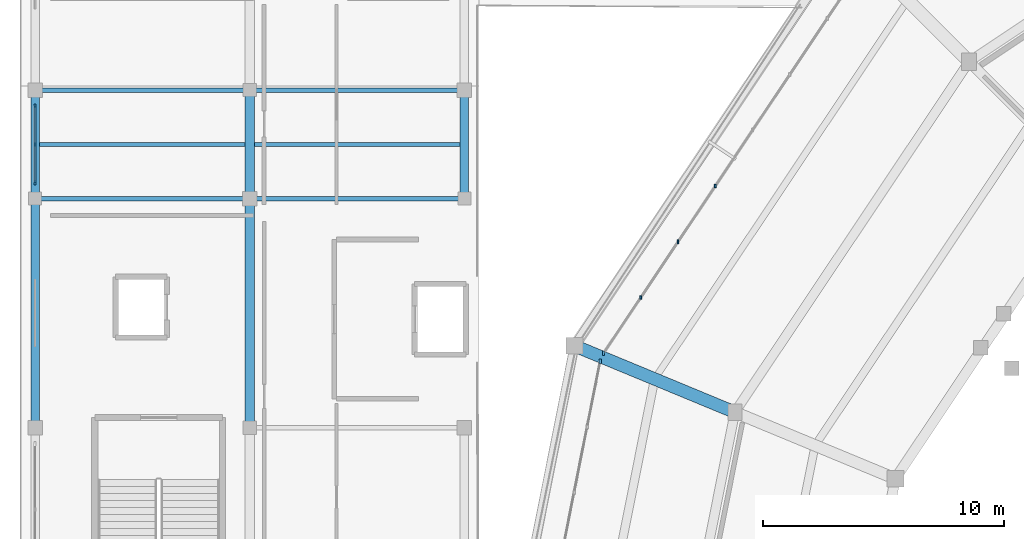
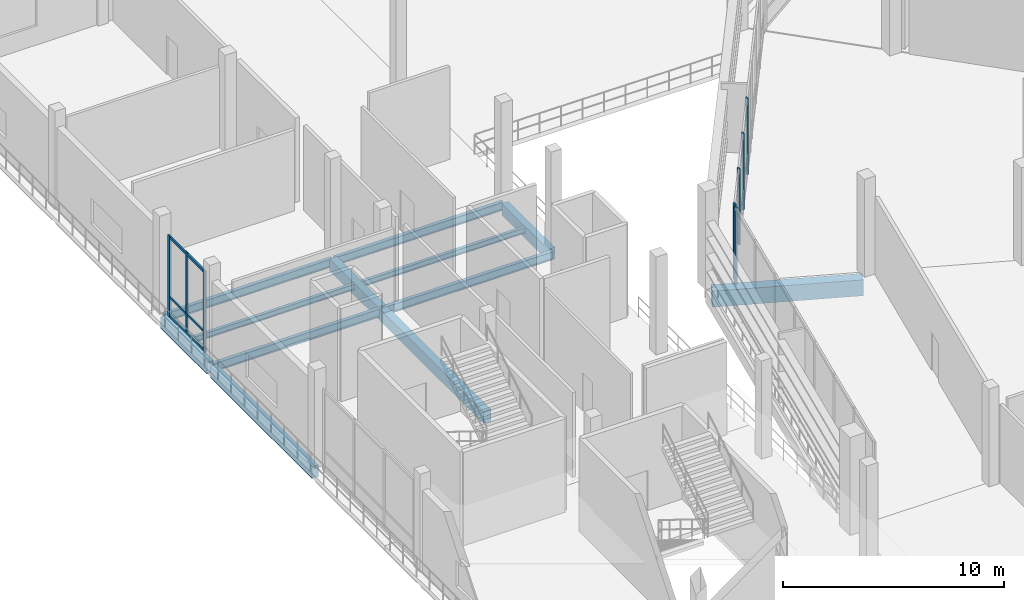
# One storey, part 28 of 111: 12 beams, 11 members, 3 elements without a shape of their own.
"""IFC4 building model written with IfcOpenShell, lengths in metres."""

from ifc_helpers import new_model, si_unit, direction, frame, origin, origin_2d, place, context, subcontext, project, spatial, rectangle, i_section, extrude, material, material_profile, profile_set, type_object, element, aggregate, save


model = new_model("IFC4")

# Units and contexts
model_context = context("Model", 3, precision=1e-05, world=origin(), true_north=direction((0.0, 1.0)))
body_context = subcontext(model_context, "Body", "Model", "MODEL_VIEW")
ifc_project = project(units=[si_unit("LENGTHUNIT", "METRE"), si_unit("AREAUNIT", "SQUARE_METRE"), si_unit("VOLUMEUNIT", "CUBIC_METRE"), si_unit("PLANEANGLEUNIT", "RADIAN"), si_unit("MASSUNIT", "GRAM", prefix="KILO")], contexts=[model_context])

# Site, building, storey
site_placement = place(None, origin())
site = spatial("IfcSite", under=ifc_project, at=site_placement, CompositionType="ELEMENT")
building_placement = place(site_placement, origin())
building = spatial("IfcBuilding", under=site, at=building_placement, Name="Candeia Ridge Stadium", CompositionType="ELEMENT")
storey_placement = place(building_placement, frame((0.0, 0.0, 16.199951171875)))
storey = spatial("IfcBuildingStorey", under=building, at=storey_placement, Name="L03", CompositionType="ELEMENT", Elevation=16.199951171875)

# Curtain wall, member
ifc_material_1 = material(Name="Aluminium Anodized Warm Bronze", Category="aluminium")
curtain_wall_type_1 = type_object("IfcCurtainWallType", Name="Concourse Recessed Unitised Curtain Wall", PredefinedType="NOTDEFINED", material=ifc_material_1)
curtain_wall_1_placement = place(storey_placement, origin())
curtain_wall_1 = element("IfcCurtainWall", 1, at=curtain_wall_1_placement, inside=storey, type_object=curtain_wall_type_1, Name="Unitised curtain wall CW-BWL-L03-09", PredefinedType="NOTDEFINED")
ifc_material_profile_1 = material_profile(ifc_material_1, rectangle(XDim=0.090087890625, YDim=0.179931640625, at=origin_2d()), Name="CWM-90x180", Category="aluminium")
ifc_profile_set_1 = profile_set([ifc_material_profile_1], Name="Aluminium Anodized Warm Bronze")
member_type_1 = type_object("IfcMemberType", Name="Curtain Wall Primary Mullion 90x180", PredefinedType="MULLION", material=ifc_profile_set_1)
member_1_placement = place(storey_placement, frame((24.1669921875, 114.590087890625, 0.0), z_axis=(0.0, 0.0, 1.0), x_axis=(1.0, 0.0, 0.0)))
member_1 = element("IfcMember", 2, at=member_1_placement, type_object=member_type_1, Name="Curtain wall mullion CW-BWL-L03-09-M7", PredefinedType="MULLION", context=body_context, shape_type="SweptSolid", body=[
    extrude(rectangle(XDim=0.090087890625, YDim=0.179931640625, at=origin_2d()), origin(), (0.0, 0.0, 1.0), 4.205078125),
])

curtain_wall_2_placement = place(storey_placement, origin())
curtain_wall_2 = element("IfcCurtainWall", 3, at=curtain_wall_2_placement, inside=storey, type_object=curtain_wall_type_1, Name="Unitised curtain wall CW-BWL-L03-10", PredefinedType="NOTDEFINED")
member_2_placement = place(storey_placement, frame((24.03173828125, 114.263916015625, 0.0), z_axis=(0.0, 0.0, 1.0), x_axis=(1.0, 0.0, 0.0)))
member_2 = element("IfcMember", 4, at=member_2_placement, type_object=member_type_1, Name="Curtain wall mullion CW-BWL-L03-10-M0", PredefinedType="MULLION", context=body_context, shape_type="SweptSolid", body=[
    extrude(rectangle(XDim=0.090087890625, YDim=0.179931640625, at=origin_2d()), origin(), (0.0, 0.0, 1.0), 4.2451171875),
])
aggregate(curtain_wall_2, [member_2])

# Curtain wall, members
curtain_wall_type_2 = type_object("IfcCurtainWallType", Name="West Pavilion Hospitality Curtain Wall", PredefinedType="NOTDEFINED", material=ifc_material_1)
curtain_wall_3_placement = place(storey_placement, origin())
curtain_wall_3 = element("IfcCurtainWall", 5, at=curtain_wall_3_placement, inside=storey, type_object=curtain_wall_type_2, Name="Unitised curtain wall CW-WNG-L03-092", PredefinedType="NOTDEFINED")
member_3_placement = place(storey_placement, frame((0.60009765625, 121.659912109375, 0.0), z_axis=(0.0, 0.0, 1.0), x_axis=(1.0, 0.0, 0.0)))
member_3 = element("IfcMember", 6, at=member_3_placement, type_object=member_type_1, Name="Curtain wall mullion CW-WNG-L03-092-M0", PredefinedType="MULLION", context=body_context, shape_type="SweptSolid", body=[
    extrude(rectangle(XDim=0.090087890625, YDim=0.179931640625, at=origin_2d()), origin(), (0.0, 0.0, 1.0), 4.47509765625),
])
member_4_placement = place(storey_placement, frame((0.60009765625, 124.840087890625, 0.0), z_axis=(0.0, 0.0, 1.0), x_axis=(1.0, 0.0, 0.0)))
member_4 = element("IfcMember", 7, at=member_4_placement, type_object=member_type_1, Name="Curtain wall mullion CW-WNG-L03-092-M2", PredefinedType="MULLION", context=body_context, shape_type="SweptSolid", body=[
    extrude(rectangle(XDim=0.090087890625, YDim=0.179931640625, at=origin_2d()), origin(), (0.0, 0.0, 1.0), 4.47509765625),
])

# Member
ifc_material_profile_2 = material_profile(ifc_material_1, rectangle(XDim=0.074951171875, YDim=0.14990234375, at=origin_2d()), Name="CWM-75x150", Category="aluminium")
ifc_profile_set_2 = profile_set([ifc_material_profile_2], Name="Aluminium Anodized Warm Bronze")
member_type_2 = type_object("IfcMemberType", Name="Curtain Wall Secondary Mullion 75x150", PredefinedType="MULLION", material=ifc_profile_set_2)
member_5_placement = place(storey_placement, frame((28.80078125, 121.52490234375, 0.0), z_axis=(0.0, 0.0, 1.0), x_axis=(1.0, 0.0, 0.0)))
member_5 = element("IfcMember", 8, at=member_5_placement, type_object=member_type_2, Name="Curtain wall mullion CW-BWL-L03-09-M4", PredefinedType="MULLION", context=body_context, shape_type="SweptSolid", body=[
    extrude(rectangle(XDim=0.074951171875, YDim=0.14990234375, at=origin_2d()), origin(), (0.0, 0.0, 1.0), 4.205078125),
])

member_6_placement = place(storey_placement, frame((27.256103515625, 119.21337890625, 0.0), z_axis=(0.0, 0.0, 1.0), x_axis=(1.0, 0.0, 0.0)))
member_6 = element("IfcMember", 9, at=member_6_placement, type_object=member_type_2, Name="Curtain wall mullion CW-BWL-L03-09-M5", PredefinedType="MULLION", context=body_context, shape_type="SweptSolid", body=[
    extrude(rectangle(XDim=0.074951171875, YDim=0.14990234375, at=origin_2d()), origin(), (0.0, 0.0, 1.0), 4.205078125),
])

member_7_placement = place(storey_placement, frame((25.71142578125, 116.901611328125, 0.0), z_axis=(0.0, 0.0, 1.0), x_axis=(1.0, 0.0, 0.0)))
member_7 = element("IfcMember", 10, at=member_7_placement, type_object=member_type_2, Name="Curtain wall mullion CW-BWL-L03-09-M6", PredefinedType="MULLION", context=body_context, shape_type="SweptSolid", body=[
    extrude(rectangle(XDim=0.074951171875, YDim=0.14990234375, at=origin_2d()), origin(), (0.0, 0.0, 1.0), 4.205078125),
])

aggregate(curtain_wall_1, [member_5, member_6, member_7, member_1])

member_8_placement = place(storey_placement, frame((0.60009765625, 123.25, 0.0), z_axis=(0.0, 0.0, 1.0), x_axis=(1.0, 0.0, 0.0)))
member_8 = element("IfcMember", 11, at=member_8_placement, type_object=member_type_2, Name="Curtain wall mullion CW-WNG-L03-092-M1", PredefinedType="MULLION", context=body_context, shape_type="SweptSolid", body=[
    extrude(rectangle(XDim=0.074951171875, YDim=0.14990234375, at=origin_2d()), origin(), (0.0, 0.0, 1.0), 4.47509765625),
])

ifc_material_profile_3 = material_profile(ifc_material_1, rectangle(XDim=0.074951171875, YDim=0.110107421875, at=origin_2d()), Name="CWT-75x110", Category="aluminium")
ifc_profile_set_3 = profile_set([ifc_material_profile_3], Name="Aluminium Anodized Warm Bronze")
member_type_3 = type_object("IfcMemberType", Name="Curtain Wall Secondary Transom 75x110", PredefinedType="USERDEFINED", material=ifc_profile_set_3)
member_9_placement = place(storey_placement, frame((0.60009765625, 121.659912109375, 1.10009765625), z_axis=(0.0, 1.0, 0.0), x_axis=(-1.0, 0.0, 0.0)))
member_9 = element("IfcMember", 12, at=member_9_placement, type_object=member_type_3, Name="Curtain wall transom CW-WNG-L03-092-T1", ObjectType="TRANSOM", PredefinedType="USERDEFINED", context=body_context, shape_type="SweptSolid", body=[
    extrude(rectangle(XDim=0.074951171875, YDim=0.110107421875, at=origin_2d()), origin(), (0.0, 0.0, 1.0), 3.18017578125),
])

ifc_material_profile_4 = material_profile(ifc_material_1, rectangle(XDim=0.090087890625, YDim=0.139892578125, at=origin_2d()), Name="CWT-90x140", Category="aluminium")
ifc_profile_set_4 = profile_set([ifc_material_profile_4], Name="Aluminium Anodized Warm Bronze")
member_type_4 = type_object("IfcMemberType", Name="Curtain Wall Transom 90x140", PredefinedType="USERDEFINED", material=ifc_profile_set_4)
member_10_placement = place(storey_placement, frame((0.60009765625, 121.659912109375, 0.070068359375), z_axis=(0.0, 1.0, 0.0), x_axis=(-1.0, 0.0, 0.0)))
member_10 = element("IfcMember", 13, at=member_10_placement, type_object=member_type_4, Name="Curtain wall transom CW-WNG-L03-092-T0", ObjectType="TRANSOM", PredefinedType="USERDEFINED", context=body_context, shape_type="SweptSolid", body=[
    extrude(rectangle(XDim=0.090087890625, YDim=0.139892578125, at=origin_2d()), origin(), (0.0, 0.0, 1.0), 3.18017578125),
])

member_11_placement = place(storey_placement, frame((0.60009765625, 121.659912109375, 4.405029296875), z_axis=(0.0, 1.0, 0.0), x_axis=(-1.0, 0.0, 0.0)))
member_11 = element("IfcMember", 14, at=member_11_placement, type_object=member_type_4, Name="Curtain wall transom CW-WNG-L03-092-T2", ObjectType="TRANSOM", PredefinedType="USERDEFINED", context=body_context, shape_type="SweptSolid", body=[
    extrude(rectangle(XDim=0.090087890625, YDim=0.139892578125, at=origin_2d()), origin(), (0.0, 0.0, 1.0), 3.18017578125),
])

aggregate(curtain_wall_3, [member_3, member_8, member_4, member_10, member_9, member_11])

# Beams
ifc_material_2 = material(Name="Concrete C45/55", Category="concrete")
ifc_material_profile_5 = material_profile(ifc_material_2, rectangle(XDim=0.52001953125, YDim=0.8798828125, at=origin_2d()), Name="RC520x880", Category="concrete")
ifc_profile_set_5 = profile_set([ifc_material_profile_5], Name="Concrete C45/55")
beam_type_1 = type_object("IfcBeamType", Name="Frame Girder RC520x880", PredefinedType="BEAM", material=ifc_profile_set_5)
beam_1_placement = place(storey_placement, frame((29.46240234375, 112.20556640625, -0.68994140625), z_axis=(-0.923880161031, 0.382681914982, 0.0), x_axis=(-0.382681914982, -0.923880161031, 0.0)))
element("IfcBeam", 15, at=beam_1_placement, inside=storey, type_object=beam_type_1, Name="Bowl radial girder BM-L03-0502", PredefinedType="BEAM", context=body_context, shape_type="SweptSolid", body=[
    extrude(rectangle(XDim=0.52001953125, YDim=0.8798828125, at=origin_2d()), origin(), (0.0, 0.0, 1.0), 6.8798828125),
])
ifc_material_3 = material(Name="Steel ASTM A572 Grade 50", Category="steel")
ifc_material_profile_6 = material_profile(ifc_material_3, i_section(OverallWidth=0.1669921875, OverallDepth=0.31689453125, WebThickness=0.007568359375, FlangeThickness=0.01318359375, FilletRadius=0.011962890625, at=origin_2d()), Name="W310x52", Category="steel")
ifc_profile_set_6 = profile_set([ifc_material_profile_6], Name="Steel ASTM A572 Grade 50")
beam_type_2 = type_object("IfcBeamType", Name="Pavilion Secondary Joist W310x52", PredefinedType="JOIST", material=ifc_profile_set_6)
for number, where, z_axis, x_axis, name in (
    (16, (0.7744140625, 123.25, -0.408447265625), (1.0, 0.0, 0.0), (0.0, 1.0, 0.0), "Wing secondary joist BM-L03-1243"),
    (17, (9.699462890625, 123.25, -0.408447265625), (1.0, 0.0, 0.0), (0.0, 1.0, 0.0), "Wing secondary joist BM-L03-1267"),
):
    element("IfcBeam", number, at=place(storey_placement, frame(where, z_axis=z_axis, x_axis=x_axis)), inside=storey, type_object=beam_type_2, Name=name, PredefinedType="JOIST", context=body_context, shape_type="SweptSolid", body=[
        extrude(i_section(OverallWidth=0.1669921875, OverallDepth=0.31689453125, WebThickness=0.007568359375, FlangeThickness=0.01318359375, FilletRadius=0.011962890625, at=origin_2d()), origin(), (0.0, 0.0, 1.0), 8.526123046875),
    ])
ifc_material_profile_7 = material_profile(ifc_material_3, i_section(OverallWidth=0.18994140625, OverallDepth=0.45703125, WebThickness=0.009033203125, FlangeThickness=0.014404296875, FilletRadius=0.012939453125, at=origin_2d()), Name="W460x74", Category="steel")
ifc_profile_set_7 = profile_set([ifc_material_profile_7], Name="Steel ASTM A572 Grade 50")
beam_type_3 = type_object("IfcBeamType", Name="Pavilion Steel Girder W460x74", PredefinedType="BEAM", material=ifc_profile_set_7)
for number, where, z_axis, x_axis, name in (
    (18, (0.64990234375, 121.0, -0.478515625), (1.0, 0.0, 0.0), (0.0, 1.0, 0.0), "Structural girder BM-L03-1242"),
    (19, (0.64990234375, 125.5, -0.478515625), (1.0, 0.0, 0.0), (0.0, 1.0, 0.0), "Structural girder BM-L03-1244"),
    (20, (9.550048828125, 121.0, -0.478515625), (1.0, 0.0, 0.0), (0.0, 1.0, 0.0), "Structural girder BM-L03-1266"),
    (21, (9.550048828125, 125.5, -0.478515625), (1.0, 0.0, 0.0), (0.0, 1.0, 0.0), "Structural girder BM-L03-1268"),
):
    element("IfcBeam", number, at=place(storey_placement, frame(where, z_axis=z_axis, x_axis=x_axis)), inside=storey, type_object=beam_type_3, Name=name, PredefinedType="BEAM", context=body_context, shape_type="SweptSolid", body=[
        extrude(i_section(OverallWidth=0.18994140625, OverallDepth=0.45703125, WebThickness=0.009033203125, FlangeThickness=0.014404296875, FilletRadius=0.012939453125, at=origin_2d()), origin(), (0.0, 0.0, 1.0), 8.800048828125),
    ])
ifc_material_4 = material(Name="Concrete C40/50", Category="concrete")
ifc_material_profile_8 = material_profile(ifc_material_4, rectangle(XDim=0.35009765625, YDim=0.64990234375, at=origin_2d()), Name="RC350x650", Category="concrete")
ifc_profile_set_8 = profile_set([ifc_material_profile_8], Name="Concrete C40/50")
beam_type_4 = type_object("IfcBeamType", Name="Spandrel Beam RC350x650", PredefinedType="SPANDREL", material=ifc_profile_set_8)
beam_2_placement = place(storey_placement, frame((0.60009765625, 111.659912109375, -0.574951171875), z_axis=(0.0, 1.0, 0.0), x_axis=(-1.0, 0.0, 0.0)))
element("IfcBeam", 22, at=beam_2_placement, inside=storey, type_object=beam_type_4, Name="Structural girder BM-L03-1203", PredefinedType="SPANDREL", context=body_context, shape_type="SweptSolid", body=[
    extrude(rectangle(XDim=0.35009765625, YDim=0.64990234375, at=origin_2d()), origin(), (0.0, 0.0, 1.0), 9.18017578125),
])
for number, where, z_axis, x_axis, name in (
    (23, (0.60009765625, 121.159912109375, -0.574951171875), (0.0, 1.0, 0.0), (-1.0, 0.0, 0.0), "Structural girder BM-L03-1204"),
    (24, (18.39990234375, 121.159912109375, -0.574951171875), (0.0, 1.0, 0.0), (-1.0, 0.0, 0.0), "Structural girder BM-L03-1228"),
):
    element("IfcBeam", number, at=place(storey_placement, frame(where, z_axis=z_axis, x_axis=x_axis)), inside=storey, type_object=beam_type_4, Name=name, PredefinedType="SPANDREL", context=body_context, shape_type="SweptSolid", body=[
        extrude(rectangle(XDim=0.35009765625, YDim=0.64990234375, at=origin_2d()), origin(), (0.0, 0.0, 1.0), 4.18017578125),
    ])
ifc_material_profile_9 = material_profile(ifc_material_4, rectangle(XDim=0.39990234375, YDim=0.64990234375, at=origin_2d()), Name="RC400x650", Category="concrete")
ifc_profile_set_9 = profile_set([ifc_material_profile_9], Name="Concrete C40/50")
beam_type_5 = type_object("IfcBeamType", Name="Wing Primary Girder RC400x650", PredefinedType="BEAM", material=ifc_profile_set_9)
beam_3_placement = place(storey_placement, frame((9.5, 111.550048828125, -0.574951171875), z_axis=(0.0, 1.0, 0.0), x_axis=(-1.0, 0.0, 0.0)))
element("IfcBeam", 25, at=beam_3_placement, inside=storey, type_object=beam_type_5, Name="Structural girder BM-L03-1215", PredefinedType="BEAM", context=body_context, shape_type="SweptSolid", body=[
    extrude(rectangle(XDim=0.39990234375, YDim=0.64990234375, at=origin_2d()), origin(), (0.0, 0.0, 1.0), 9.39990234375),
])
beam_4_placement = place(storey_placement, frame((9.5, 121.050048828125, -0.574951171875), z_axis=(0.0, 1.0, 0.0), x_axis=(-1.0, 0.0, 0.0)))
element("IfcBeam", 26, at=beam_4_placement, inside=storey, type_object=beam_type_5, Name="Structural girder BM-L03-1216", PredefinedType="BEAM", context=body_context, shape_type="SweptSolid", body=[
    extrude(rectangle(XDim=0.39990234375, YDim=0.64990234375, at=origin_2d()), origin(), (0.0, 0.0, 1.0), 4.39990234375),
])

save(model, "model.ifc")
